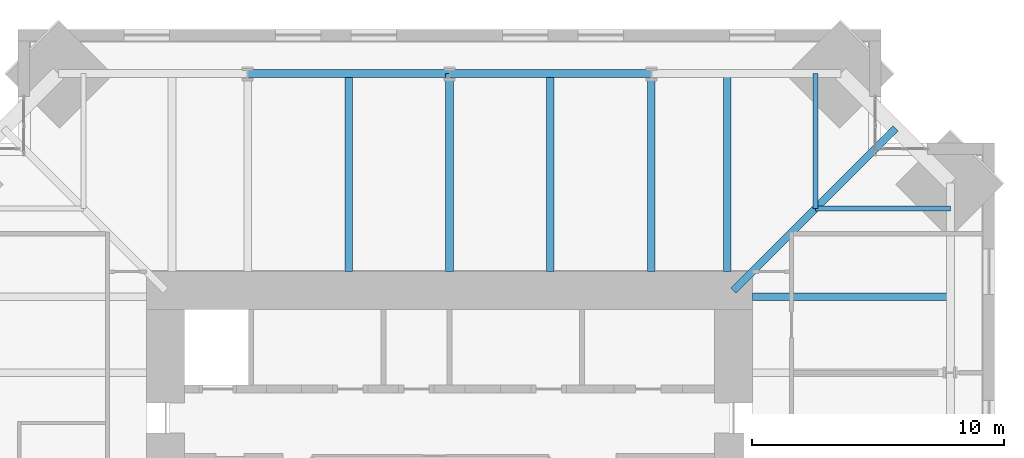
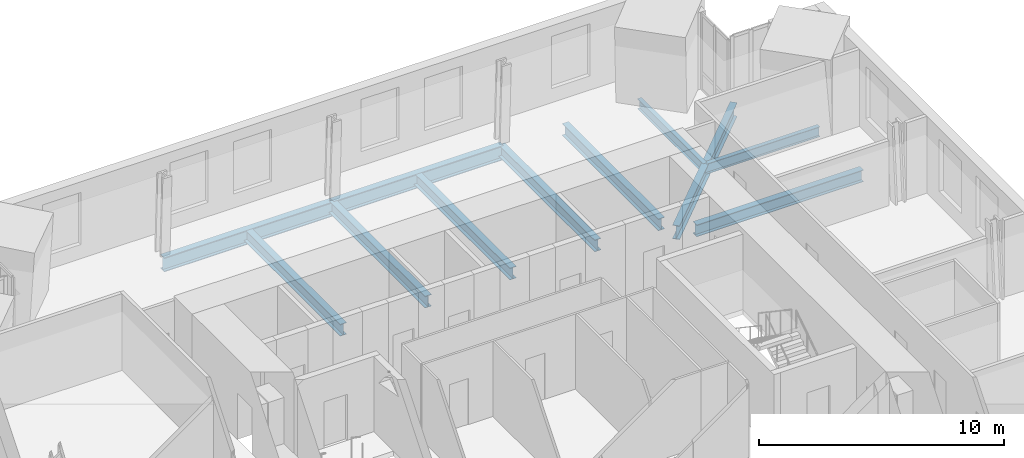
# One storey, part 7 of 16: 11 beams.
"""IFC4 building model written with IfcOpenShell, lengths in metres."""

from ifc_helpers import new_model, si_unit, direction, frame, origin, origin_2d, place, context, subcontext, project, spatial, i_section, extrude, material, material_profile, profile_set, type_object, element, save


model = new_model("IFC4")

# Units and contexts
model_context = context("Model", 3, precision=1e-05, world=origin(), true_north=direction((0.0, 1.0)))
body_context = subcontext(model_context, "Body", "Model", "MODEL_VIEW")
ifc_project = project(units=[si_unit("LENGTHUNIT", "METRE"), si_unit("AREAUNIT", "SQUARE_METRE"), si_unit("VOLUMEUNIT", "CUBIC_METRE"), si_unit("PLANEANGLEUNIT", "RADIAN"), si_unit("MASSUNIT", "GRAM", prefix="KILO")], contexts=[model_context])

# Site, building, storey
site_placement = place(None, origin())
site = spatial("IfcSite", under=ifc_project, at=site_placement, CompositionType="ELEMENT")
building_placement = place(site_placement, origin())
building = spatial("IfcBuilding", under=site, at=building_placement, Name="Peilmerk Tower", CompositionType="ELEMENT")
storey_placement = place(building_placement, frame((0.0, 0.0, 273.800048828125)))
storey = spatial("IfcBuildingStorey", under=building, at=storey_placement, Name="L61", CompositionType="ELEMENT", Elevation=273.800048828125)

# Beams
ifc_material = material(Name="Steel S355", Category="steel")
ifc_material_profile_1 = material_profile(ifc_material, i_section(OverallWidth=0.300048828125, OverallDepth=0.68994140625, WebThickness=0.014404296875, FlangeThickness=0.027099609375, at=origin_2d()), Name="HEA 700")
ifc_profile_set_1 = profile_set([ifc_material_profile_1], Name="Steel S355")
beam_type_1 = type_object("IfcBeamType", Name="B16 HEA 700 floor beam", PredefinedType="BEAM", material=ifc_profile_set_1)
beam_placement = place(storey_placement, frame((11.25, 11.25, -0.51513671875), z_axis=(0.707106781187, 0.707106781187, 0.0), x_axis=(-0.707106781187, 0.707106781187, 0.0)))
element("IfcBeam", 1, at=beam_placement, inside=storey, type_object=beam_type_1, Name="Corner girder L61", PredefinedType="BEAM", context=body_context, shape_type="SweptSolid", body=[
    extrude(i_section(OverallWidth=0.300048828125, OverallDepth=0.68994140625, WebThickness=0.014404296875, FlangeThickness=0.027099609375, at=origin_2d()), origin(), (0.0, 0.0, 1.0), 9.095458984375),
])
ifc_material_profile_2 = material_profile(ifc_material, i_section(OverallWidth=0.300048828125, OverallDepth=0.590087890625, WebThickness=0.012939453125, FlangeThickness=0.02490234375, at=origin_2d()), Name="HEA 600")
ifc_profile_set_2 = profile_set([ifc_material_profile_2], Name="Steel S355")
beam_type_2 = type_object("IfcBeamType", Name="B27 HEA 600 floor beam", PredefinedType="BEAM", material=ifc_profile_set_2)
for number, where, z_axis, x_axis, name in (
    (2, (11.0, 12.0, -0.465087890625), (0.0, 1.0, 0.0), (-1.0, 0.0, 0.0), "Floor beam L61"),
    (3, (8.0, 12.0, -0.465087890625), (0.0, 1.0, 0.0), (-1.0, 0.0, 0.0), "Floor beam L61"),
    (4, (4.0, 12.0, -0.465087890625), (0.0, 1.0, 0.0), (-1.0, 0.0, 0.0), "Floor beam L61"),
    (5, (0.0, 12.0, -0.465087890625), (0.0, 1.0, 0.0), (-1.0, 0.0, 0.0), "Floor beam L61"),
    (6, (-4.0, 12.0, -0.465087890625), (0.0, 1.0, 0.0), (-1.0, 0.0, 0.0), "Floor beam L61"),
    (7, (12.0, 11.0, -0.465087890625), (1.0, 0.0, 0.0), (0.0, 1.0, 0.0), "Floor beam L61"),
):
    element("IfcBeam", number, at=place(storey_placement, frame(where, z_axis=z_axis, x_axis=x_axis)), inside=storey, type_object=beam_type_2, Name=name, PredefinedType="BEAM", context=body_context, shape_type="SweptSolid", body=[
        extrude(i_section(OverallWidth=0.300048828125, OverallDepth=0.590087890625, WebThickness=0.012939453125, FlangeThickness=0.02490234375, at=origin_2d()), origin(), (0.0, 0.0, 1.0), 7.8564453125),
    ])
ifc_material_profile_3 = material_profile(ifc_material, i_section(OverallWidth=0.303955078125, OverallDepth=0.716064453125, WebThickness=0.02099609375, FlangeThickness=0.0400390625, at=origin_2d()), Name="HEM 700")
ifc_profile_set_3 = profile_set([ifc_material_profile_3], Name="Steel S355")
beam_type_3 = type_object("IfcBeamType", Name="B30 HEM 700 edge beam", PredefinedType="SPANDREL", material=ifc_profile_set_3)
for number, where, z_axis, x_axis, name in (
    (8, (8.0, 19.8564453125, -0.528076171875), (-1.0, 0.0, 0.0), (0.0, -1.0, 0.0), "Edge beam L61"),
    (9, (0.0, 19.8564453125, -0.528076171875), (-1.0, 0.0, 0.0), (0.0, -1.0, 0.0), "Edge beam L61"),
):
    element("IfcBeam", number, at=place(storey_placement, frame(where, z_axis=z_axis, x_axis=x_axis)), inside=storey, type_object=beam_type_3, Name=name, PredefinedType="SPANDREL", context=body_context, shape_type="SweptSolid", body=[
        extrude(i_section(OverallWidth=0.303955078125, OverallDepth=0.716064453125, WebThickness=0.02099609375, FlangeThickness=0.0400390625, at=origin_2d()), origin(), (0.0, 0.0, 1.0), 8.0),
    ])
ifc_material_profile_4 = material_profile(ifc_material, i_section(OverallWidth=0.199951171875, OverallDepth=0.5, WebThickness=0.01025390625, FlangeThickness=0.01611328125, at=origin_2d()), Name="IPE 500")
ifc_profile_set_4 = profile_set([ifc_material_profile_4], Name="Steel S355")
beam_type_4 = type_object("IfcBeamType", Name="B32 IPE 500 floor beam", PredefinedType="BEAM", material=ifc_profile_set_4)
for number, where, z_axis, x_axis, name in (
    (10, (14.5, 14.5, -0.420166015625), (0.0, 1.0, 0.0), (-1.0, 0.0, 0.0), "Floor beam L61"),
    (11, (14.5, 14.5, -0.420166015625), (1.0, 0.0, 0.0), (0.0, 1.0, 0.0), "Floor beam L61"),
):
    element("IfcBeam", number, at=place(storey_placement, frame(where, z_axis=z_axis, x_axis=x_axis)), inside=storey, type_object=beam_type_4, Name=name, PredefinedType="BEAM", context=body_context, shape_type="SweptSolid", body=[
        extrude(i_section(OverallWidth=0.199951171875, OverallDepth=0.5, WebThickness=0.01025390625, FlangeThickness=0.01611328125, at=origin_2d()), origin(), (0.0, 0.0, 1.0), 5.3564453125),
    ])

save(model, "model.ifc")
